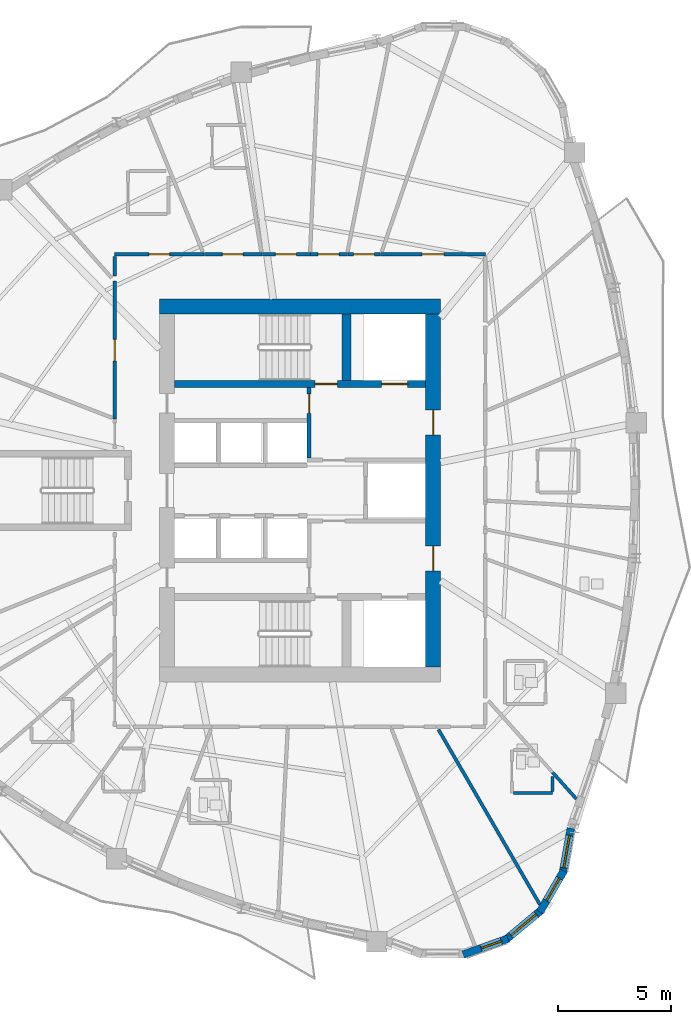
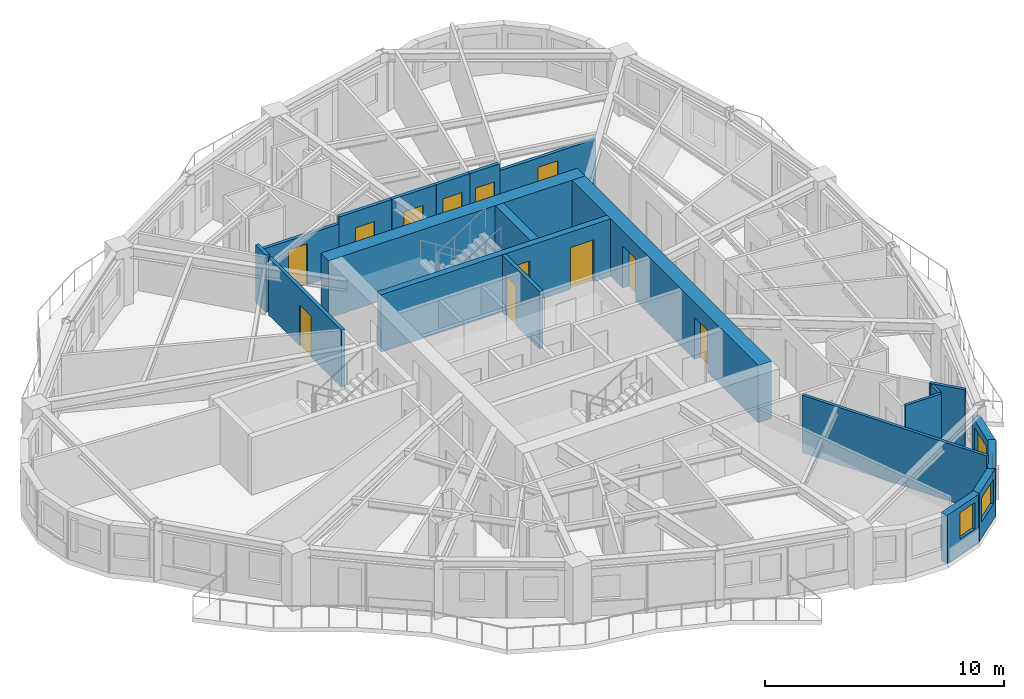
# One storey, part 6 of 13: 21 walls, 12 doors, 4 windows, 16 openings.
"""IFC4 building model written with IfcOpenShell, lengths in metres."""

from ifc_helpers import new_model, si_unit, direction, frame, frame_2d, origin, place, context, subcontext, project, spatial, rectangle, extrude, source, transform, mapped, material, layer, layer_set, type_object, element, fill, save


model = new_model("IFC4")

# Units and contexts
model_context = context("Model", 3, precision=1e-05, world=origin(), true_north=direction((0.0, 1.0)))
body_context = subcontext(model_context, "Body", "Model", "MODEL_VIEW")
ifc_project = project(units=[si_unit("LENGTHUNIT", "METRE"), si_unit("AREAUNIT", "SQUARE_METRE"), si_unit("VOLUMEUNIT", "CUBIC_METRE"), si_unit("PLANEANGLEUNIT", "RADIAN"), si_unit("MASSUNIT", "GRAM", prefix="KILO")], contexts=[model_context])

# Site, building, storey
site_placement = place(None, origin())
site = spatial("IfcSite", under=ifc_project, at=site_placement, CompositionType="ELEMENT")
building_placement = place(site_placement, origin())
building = spatial("IfcBuilding", under=site, at=building_placement, Name="Qafzar Sky-Pleat Residences", CompositionType="ELEMENT")
storey_placement = place(building_placement, frame((0.0, 0.0, 105.60009765625)))
storey = spatial("IfcBuildingStorey", under=building, at=storey_placement, Name="L31", CompositionType="ELEMENT", Elevation=105.60009765625)

# Wall, opening, door
ifc_material_1 = material(Name="Acoustic gypsum plasterboard partition", Category="gypsum")
ifc_layer_1 = layer(ifc_material_1, 0.159912109375)
ifc_layer_set_1 = layer_set([ifc_layer_1], Name="Acoustic gypsum plasterboard partition")
wall_type_1 = type_object("IfcWallType", Name="PART-COR-160", PredefinedType="PARTITIONING", material=ifc_layer_set_1)
wall_1_placement = place(storey_placement, frame((22.169921875, 29.14794921875, 0.0), z_axis=(0.0, 0.0, 1.0), x_axis=(0.0, 1.0, 0.0)))
wall_1 = element("IfcWall", 1, at=wall_1_placement, inside=storey, type_object=wall_type_1, Name="L31 Partition Wall PART-L31-PW-002", PredefinedType="PARTITIONING", context=body_context, shape_type="SweptSolid", body=[
    extrude(rectangle(XDim=6.10595703125, YDim=0.159912109375, at=frame_2d((3.052978515625, 0.0))), origin(), (0.0, 0.0, 1.0), 2.934814453125),
])
opening_1_placement = place(wall_1_placement, frame((2.569580078125, 0.0, 0.0)))
opening_1 = element("IfcOpeningElement", 2, at=opening_1_placement, cuts=wall_1, Name="Opening ID-06", PredefinedType="OPENING", context=body_context, shape_type="SweptSolid", body=[
    extrude(rectangle(XDim=0.9599609375, YDim=2.10009765625, at=frame_2d((0.47998046875, 1.050048828125))), frame((0.0, 0.08984375, 0.0), z_axis=(0.0, -1.0, 0.0), x_axis=(1.0, 0.0, 0.0)), (0.0, 0.0, 1.0), 0.179931640625),
])
ifc_material_2 = material(Name="Timber-faced fire door", Category="wood")
door_type_1 = type_object("IfcDoorType", Name="DR-STD-960", OperationType="NOTDEFINED", PredefinedType="DOOR", material=ifc_material_2)
shared_shape_1 = source(origin(), body_context, "Body", "SweptSolid", [
    extrude(rectangle(XDim=0.9599609375, YDim=2.10009765625, at=frame_2d((0.47998046875, 1.050048828125))), frame((0.0, 0.02490234375, 0.0), z_axis=(0.0, -1.0, 0.0), x_axis=(1.0, 0.0, 0.0)), (0.0, 0.0, 1.0), 0.050048828125),
])
door_1_placement = place(opening_1_placement, origin())
door_1 = element("IfcDoor", 3, at=door_1_placement, inside=storey, type_object=door_type_1, Name="L31 Media Screening Room Door", OperationType="SINGLE_SWING_LEFT", OverallHeight=2.10009765625, OverallWidth=0.9599609375, PredefinedType="DOOR", context=body_context, shape_type="MappedRepresentation", body=[
    mapped(shared_shape_1, transform((0.0, 0.0, 0.0), x_axis=(1.0, 0.0, 0.0), y_axis=(0.0, 1.0, 0.0), z_axis=(0.0, 0.0, 1.0), scale=1.0)),
])
fill(opening_1, door_1)

wall_2_placement = place(storey_placement, frame((33.906005859375, 36.429931640625, 0.0), z_axis=(0.0, 0.0, 1.0), x_axis=(1.0, 0.0, 0.0)))
wall_2 = element("IfcWall", 4, at=wall_2_placement, inside=storey, type_object=wall_type_1, Name="L31 Partition Wall PART-L31-PW-003", PredefinedType="PARTITIONING", context=body_context, shape_type="SweptSolid", body=[
    extrude(rectangle(XDim=4.6240234375, YDim=0.159912109375, at=frame_2d((2.31201171875, 0.0))), origin(), (0.0, 0.0, 1.0), 2.572998046875),
])
opening_2_placement = place(wall_2_placement, frame((1.840087890625, 0.0, 0.0)))
opening_2 = element("IfcOpeningElement", 5, at=opening_2_placement, cuts=wall_2, Name="Opening ID-06", PredefinedType="OPENING", context=body_context, shape_type="SweptSolid", body=[
    extrude(rectangle(XDim=0.9599609375, YDim=2.10009765625, at=frame_2d((0.47998046875, 1.050048828125))), frame((0.0, 0.08984375, 0.0), z_axis=(0.0, -1.0, 0.0), x_axis=(1.0, 0.0, 0.0)), (0.0, 0.0, 1.0), 0.179931640625),
])
door_2_placement = place(opening_2_placement, origin())
door_2 = element("IfcDoor", 6, at=door_2_placement, inside=storey, type_object=door_type_1, Name="L31 Wellness Yoga Studio Door", OperationType="SINGLE_SWING_RIGHT", OverallHeight=2.10009765625, OverallWidth=0.9599609375, PredefinedType="DOOR", context=body_context, shape_type="MappedRepresentation", body=[
    mapped(shared_shape_1, transform((0.0, 0.0, 0.0), x_axis=(1.0, 0.0, 0.0), y_axis=(0.0, 1.0, 0.0), z_axis=(0.0, 0.0, 1.0), scale=1.0)),
])
fill(opening_2, door_2)

wall_3_placement = place(storey_placement, frame((22.169921875, 36.429931640625, 0.0), z_axis=(0.0, 0.0, 1.0), x_axis=(1.0, 0.0, 0.0)))
wall_3 = element("IfcWall", 7, at=wall_3_placement, inside=storey, type_object=wall_type_1, Name="L31 Partition Wall PART-L31-PW-006", PredefinedType="PARTITIONING", context=body_context, shape_type="SweptSolid", body=[
    extrude(rectangle(XDim=3.947998046875, YDim=0.159912109375, at=frame_2d((1.97412109375, 0.0))), origin(), (0.0, 0.0, 1.0), 2.572998046875),
])
opening_3_placement = place(wall_3_placement, frame((1.506103515625, 0.0, 0.0)))
opening_3 = element("IfcOpeningElement", 8, at=opening_3_placement, cuts=wall_3, Name="Opening ID-04", PredefinedType="OPENING", context=body_context, shape_type="SweptSolid", body=[
    extrude(rectangle(XDim=0.919921875, YDim=2.10009765625, at=frame_2d((0.4599609375, 1.050048828125))), frame((0.0, 0.08984375, 0.0), z_axis=(0.0, -1.0, 0.0), x_axis=(1.0, 0.0, 0.0)), (0.0, 0.0, 1.0), 0.179931640625),
])
door_type_2 = type_object("IfcDoorType", Name="DR-BED-920", OperationType="NOTDEFINED", PredefinedType="DOOR", material=ifc_material_2)
shared_shape_2 = source(origin(), body_context, "Body", "SweptSolid", [
    extrude(rectangle(XDim=0.919921875, YDim=2.10009765625, at=frame_2d((0.4599609375, 1.050048828125))), frame((0.0, 0.02490234375, 0.0), z_axis=(0.0, -1.0, 0.0), x_axis=(1.0, 0.0, 0.0)), (0.0, 0.0, 1.0), 0.050048828125),
])
door_3_placement = place(opening_3_placement, origin())
door_3 = element("IfcDoor", 9, at=door_3_placement, inside=storey, type_object=door_type_2, Name="L31 Co-Living Bedroom 10 Door", OperationType="SINGLE_SWING_RIGHT", OverallHeight=2.10009765625, OverallWidth=0.919921875, PredefinedType="DOOR", context=body_context, shape_type="MappedRepresentation", body=[
    mapped(shared_shape_2, transform((0.0, 0.0, 0.0), x_axis=(1.0, 0.0, 0.0), y_axis=(0.0, 1.0, 0.0), z_axis=(0.0, 0.0, 1.0), scale=1.0)),
])
fill(opening_3, door_3)

wall_4_placement = place(storey_placement, frame((26.133056640625, 36.429931640625, 0.0), z_axis=(0.0, 0.0, 1.0), x_axis=(1.0, 0.0, 0.0)))
wall_4 = element("IfcWall", 10, at=wall_4_placement, inside=storey, type_object=wall_type_1, Name="L31 Partition Wall PART-L31-PW-011", PredefinedType="PARTITIONING", context=body_context, shape_type="SweptSolid", body=[
    extrude(rectangle(XDim=2.537841796875, YDim=0.159912109375, at=frame_2d((1.26904296875, 0.0))), origin(), (0.0, 0.0, 1.0), 2.934814453125),
])
opening_4_placement = place(wall_4_placement, frame((0.785888671875, 0.0, 0.0)))
opening_4 = element("IfcOpeningElement", 11, at=opening_4_placement, cuts=wall_4, Name="Opening ID-04", PredefinedType="OPENING", context=body_context, shape_type="SweptSolid", body=[
    extrude(rectangle(XDim=0.919921875, YDim=2.10009765625, at=frame_2d((0.4599609375, 1.050048828125))), frame((0.0, 0.08984375, 0.0), z_axis=(0.0, -1.0, 0.0), x_axis=(1.0, 0.0, 0.0)), (0.0, 0.0, 1.0), 0.179931640625),
])
door_4_placement = place(opening_4_placement, origin())
door_4 = element("IfcDoor", 12, at=door_4_placement, inside=storey, type_object=door_type_2, Name="L31 Co-Living Bedroom 8 Door", OperationType="SINGLE_SWING_RIGHT", OverallHeight=2.10009765625, OverallWidth=0.919921875, PredefinedType="DOOR", context=body_context, shape_type="MappedRepresentation", body=[
    mapped(shared_shape_2, transform((0.0, 0.0, 0.0), x_axis=(1.0, 0.0, 0.0), y_axis=(0.0, 1.0, 0.0), z_axis=(0.0, 0.0, 1.0), scale=1.0)),
])
fill(opening_4, door_4)

wall_5_placement = place(storey_placement, frame((28.68603515625, 36.429931640625, 0.0), z_axis=(0.0, 0.0, 1.0), x_axis=(1.0, 0.0, 0.0)))
wall_5 = element("IfcWall", 13, at=wall_5_placement, inside=storey, type_object=wall_type_1, Name="L31 Partition Wall PART-L31-PW-014", PredefinedType="PARTITIONING", context=body_context, shape_type="SweptSolid", body=[
    extrude(rectangle(XDim=2.123046875, YDim=0.159912109375, at=frame_2d((1.0615234375, 0.0))), origin(), (0.0, 0.0, 1.0), 2.934814453125),
])
opening_5_placement = place(wall_5_placement, frame((0.5791015625, 0.0, 0.0)))
opening_5 = element("IfcOpeningElement", 14, at=opening_5_placement, cuts=wall_5, Name="Opening ID-04", PredefinedType="OPENING", context=body_context, shape_type="SweptSolid", body=[
    extrude(rectangle(XDim=0.919921875, YDim=2.10009765625, at=frame_2d((0.4599609375, 1.050048828125))), frame((0.0, 0.08984375, 0.0), z_axis=(0.0, -1.0, 0.0), x_axis=(1.0, 0.0, 0.0)), (0.0, 0.0, 1.0), 0.179931640625),
])
door_5_placement = place(opening_5_placement, origin())
door_5 = element("IfcDoor", 15, at=door_5_placement, inside=storey, type_object=door_type_2, Name="L31 Co-Living Bedroom 9 Door", OperationType="SINGLE_SWING_LEFT", OverallHeight=2.10009765625, OverallWidth=0.919921875, PredefinedType="DOOR", context=body_context, shape_type="MappedRepresentation", body=[
    mapped(shared_shape_2, transform((0.0, 0.0, 0.0), x_axis=(1.0, 0.0, 0.0), y_axis=(0.0, 1.0, 0.0), z_axis=(0.0, 0.0, 1.0), scale=1.0)),
])
fill(opening_5, door_5)

wall_6_placement = place(storey_placement, frame((30.823974609375, 36.429931640625, 0.0), z_axis=(0.0, 0.0, 1.0), x_axis=(1.0, 0.0, 0.0)))
wall_6 = element("IfcWall", 16, at=wall_6_placement, inside=storey, type_object=wall_type_1, Name="L31 Partition Wall PART-L31-PW-024", PredefinedType="PARTITIONING", context=body_context, shape_type="SweptSolid", body=[
    extrude(rectangle(XDim=1.619140625, YDim=0.159912109375, at=frame_2d((0.8095703125, 0.0))), origin(), (0.0, 0.0, 1.0), 2.934814453125),
])
opening_6_placement = place(wall_6_placement, frame((0.326904296875, 0.0, 0.0)))
opening_6 = element("IfcOpeningElement", 17, at=opening_6_placement, cuts=wall_6, Name="Opening ID-04", PredefinedType="OPENING", context=body_context, shape_type="SweptSolid", body=[
    extrude(rectangle(XDim=0.919921875, YDim=2.10009765625, at=frame_2d((0.4599609375, 1.050048828125))), frame((0.0, 0.08984375, 0.0), z_axis=(0.0, -1.0, 0.0), x_axis=(1.0, 0.0, 0.0)), (0.0, 0.0, 1.0), 0.179931640625),
])
door_6_placement = place(opening_6_placement, origin())
door_6 = element("IfcDoor", 18, at=door_6_placement, inside=storey, type_object=door_type_2, Name="L31 Co-Living Bedroom 6 Door", OperationType="SINGLE_SWING_LEFT", OverallHeight=2.10009765625, OverallWidth=0.919921875, PredefinedType="DOOR", context=body_context, shape_type="MappedRepresentation", body=[
    mapped(shared_shape_2, transform((0.0, 0.0, 0.0), x_axis=(1.0, 0.0, 0.0), y_axis=(0.0, 1.0, 0.0), z_axis=(0.0, 0.0, 1.0), scale=1.0)),
])
fill(opening_6, door_6)

wall_7_placement = place(storey_placement, frame((32.4580078125, 36.429931640625, 0.0), z_axis=(0.0, 0.0, 1.0), x_axis=(1.0, 0.0, 0.0)))
wall_7 = element("IfcWall", 19, at=wall_7_placement, inside=storey, type_object=wall_type_1, Name="L31 Partition Wall PART-L31-PW-027", PredefinedType="PARTITIONING", context=body_context, shape_type="SweptSolid", body=[
    extrude(rectangle(XDim=1.43310546875, YDim=0.159912109375, at=frame_2d((0.716552734375, 0.0))), origin(), (0.0, 0.0, 1.0), 2.934814453125),
])
opening_7_placement = place(wall_7_placement, frame((0.257080078125, 0.0, 0.0)))
opening_7 = element("IfcOpeningElement", 20, at=opening_7_placement, cuts=wall_7, Name="Opening ID-04", PredefinedType="OPENING", context=body_context, shape_type="SweptSolid", body=[
    extrude(rectangle(XDim=0.919921875, YDim=2.10009765625, at=frame_2d((0.4599609375, 1.050048828125))), frame((0.0, 0.08984375, 0.0), z_axis=(0.0, -1.0, 0.0), x_axis=(1.0, 0.0, 0.0)), (0.0, 0.0, 1.0), 0.179931640625),
])
door_7_placement = place(opening_7_placement, origin())
door_7 = element("IfcDoor", 21, at=door_7_placement, inside=storey, type_object=door_type_2, Name="L31 Co-Living Bedroom 7 Door", OperationType="SINGLE_SWING_RIGHT", OverallHeight=2.10009765625, OverallWidth=0.919921875, PredefinedType="DOOR", context=body_context, shape_type="MappedRepresentation", body=[
    mapped(shared_shape_2, transform((0.0, 0.0, 0.0), x_axis=(1.0, 0.0, 0.0), y_axis=(0.0, 1.0, 0.0), z_axis=(0.0, 0.0, 1.0), scale=1.0)),
])
fill(opening_7, door_7)

# Wall
wall_8_placement = place(storey_placement, frame((22.169921875, 35.4765625, 0.0), z_axis=(0.0, 0.0, 1.0), x_axis=(0.0, 1.0, 0.0)))
element("IfcWall", 22, at=wall_8_placement, inside=storey, type_object=wall_type_1, Name="L31 Partition Wall PART-L31-PW-080", PredefinedType="PARTITIONING", context=body_context, shape_type="SweptSolid", body=[
    extrude(rectangle(XDim=0.865478515625, YDim=0.159912109375, at=frame_2d((0.4326171875, 0.0))), origin(), (0.0, 0.0, 1.0), 2.934814453125),
])

# Wall, opening, door
ifc_material_3 = material(Name="Concrete blockwork partition", Category="masonry")
ifc_layer_2 = layer(ifc_material_3, 0.179931640625)
ifc_layer_set_2 = layer_set([ifc_layer_2], Name="Concrete blockwork partition")
wall_type_2 = type_object("IfcWallType", Name="PART-SHAFT-180", PredefinedType="PARTITIONING", material=ifc_layer_set_2)
wall_9_placement = place(storey_placement, frame((30.75, 27.429931640625, 0.0), z_axis=(0.0, 0.0, 1.0), x_axis=(0.0, 1.0, 0.0)))
wall_9 = element("IfcWall", 23, at=wall_9_placement, inside=storey, type_object=wall_type_2, Name="L31 Partition Wall PART-L31-FFL2-W", PredefinedType="PARTITIONING", context=body_context, shape_type="SweptSolid", body=[
    extrude(rectangle(XDim=3.110107421875, YDim=0.179931640625, at=frame_2d((1.55517578125, 0.0))), origin(), (0.0, 0.0, 1.0), 2.934814453125),
])
opening_8_placement = place(wall_9_placement, frame((1.97998046875, 0.0, 0.0)))
opening_8 = element("IfcOpeningElement", 24, at=opening_8_placement, cuts=wall_9, Name="Opening ID-09", PredefinedType="OPENING", context=body_context, shape_type="SweptSolid", body=[
    extrude(rectangle(XDim=0.860107421875, YDim=2.050048828125, at=frame_2d((0.43017578125, 1.02490234375))), frame((0.0, 0.10009765625, 0.0), z_axis=(0.0, -1.0, 0.0), x_axis=(1.0, 0.0, 0.0)), (0.0, 0.0, 1.0), 0.199951171875),
])
door_type_3 = type_object("IfcDoorType", Name="DR-SVC-860", OperationType="NOTDEFINED", PredefinedType="DOOR", material=ifc_material_2)
shared_shape_3 = source(origin(), body_context, "Body", "SweptSolid", [
    extrude(rectangle(XDim=0.860107421875, YDim=2.050048828125, at=frame_2d((0.43017578125, 1.02490234375))), frame((0.0, 0.02490234375, 0.0), z_axis=(0.0, -1.0, 0.0), x_axis=(1.0, 0.0, 0.0)), (0.0, 0.0, 1.0), 0.050048828125),
])
door_8_placement = place(opening_8_placement, origin())
door_8 = element("IfcDoor", 25, at=door_8_placement, inside=storey, type_object=door_type_3, Name="L31 North Core Cupboard Door", OperationType="SINGLE_SWING_RIGHT", OverallHeight=2.050048828125, OverallWidth=0.860107421875, PredefinedType="DOOR", context=body_context, shape_type="MappedRepresentation", body=[
    mapped(shared_shape_3, transform((0.0, 0.0, 0.0), x_axis=(1.0, 0.0, 0.0), y_axis=(0.0, 1.0, 0.0), z_axis=(0.0, 0.0, 1.0), scale=1.0)),
])
fill(opening_8, door_8)

# Walls
ifc_layer_3 = layer(ifc_material_1, 0.14501953125)
ifc_layer_set_3 = layer_set([ifc_layer_3], Name="Acoustic gypsum plasterboard partition")
wall_type_3 = type_object("IfcWallType", Name="PART-UNIT-145", PredefinedType="PARTITIONING", material=ifc_layer_set_3)
wall_10_placement = place(storey_placement, frame((36.46337890625, 15.44677734375, 0.0), z_axis=(0.0, 0.0, 1.0), x_axis=(0.501201369888, -0.86533068062, 0.0)))
element("IfcWall", 26, at=wall_10_placement, inside=storey, type_object=wall_type_3, Name="L31 Partition Wall PART-L31-PW-037", PredefinedType="PARTITIONING", context=body_context, shape_type="SweptSolid", body=[
    extrude(rectangle(XDim=8.91796875, YDim=0.14501953125, at=frame_2d((4.458984375, 0.0))), origin(), (0.0, 0.0, 1.0), 2.934814453125),
])
wall_11_placement = place(storey_placement, frame((41.50390625, 13.551025390625, 0.0), z_axis=(0.0, 0.0, 1.0), x_axis=(0.667530166935, -0.744582753112, 0.0)))
element("IfcWall", 27, at=wall_11_placement, inside=storey, type_object=wall_type_3, Name="L31 Partition Wall PART-L31-PW-072", PredefinedType="PARTITIONING", context=body_context, shape_type="SweptSolid", body=[
    extrude(rectangle(XDim=1.571533203125, YDim=0.14501953125, at=frame_2d((0.78564453125, 0.0))), origin(), (0.0, 0.0, 1.0), 2.934814453125),
])
ifc_material_4 = material(Name="Moisture-resistant gypsum partition", Category="gypsum")
ifc_layer_4 = layer(ifc_material_4, 0.1298828125)
ifc_layer_set_4 = layer_set([ifc_layer_4], Name="Moisture-resistant gypsum partition")
wall_type_4 = type_object("IfcWallType", Name="PART-WET-130", PredefinedType="PARTITIONING", material=ifc_layer_set_4)
wall_12_placement = place(storey_placement, frame((39.777099609375, 12.64599609375, 0.0), z_axis=(0.0, 0.0, 1.0), x_axis=(1.0, 0.0, 0.0)))
element("IfcWall", 28, at=wall_12_placement, inside=storey, type_object=wall_type_4, Name="L31 Partition Wall PART-L31-PW-068", PredefinedType="PARTITIONING", context=body_context, shape_type="SweptSolid", body=[
    extrude(rectangle(XDim=1.726806640625, YDim=0.1298828125, at=frame_2d((0.86328125, 0.0))), origin(), (0.0, 0.0, 1.0), 2.934814453125),
])
wall_13_placement = place(storey_placement, frame((41.50390625, 12.718994140625, 0.0), z_axis=(0.0, 0.0, 1.0), x_axis=(0.0, 1.0, 0.0)))
element("IfcWall", 29, at=wall_13_placement, inside=storey, type_object=wall_type_4, Name="L31 Partition Wall PART-L31-PW-084", PredefinedType="PARTITIONING", context=body_context, shape_type="SweptSolid", body=[
    extrude(rectangle(XDim=0.642822265625, YDim=0.1298828125, at=frame_2d((0.3212890625, 0.0))), origin(), (0.0, 0.0, 1.0), 2.934814453125),
])

# Wall, opening, window
ifc_material_5 = material(Name="Precast concrete C40/50 with honed Riyadh limestone", Category="concrete")
ifc_layer_5 = layer(ifc_material_5, 0.340087890625)
ifc_layer_set_5 = layer_set([ifc_layer_5], Name="Precast concrete C40/50 with honed Riyadh limestone")
wall_type_5 = type_object("IfcWallType", Name="WALL-EXT-340", PredefinedType="SOLIDWALL", material=ifc_layer_set_5)
wall_14_placement = place(storey_placement, frame((37.556884765625, 5.506103515625, 0.0), z_axis=(0.0, 0.0, 1.0), x_axis=(0.941523304278, 0.336947870598, 0.0)))
wall_14 = element("IfcWall", 30, at=wall_14_placement, inside=storey, type_object=wall_type_5, Name="L31 Limestone Facade Wall 19", PredefinedType="SOLIDWALL", context=body_context, shape_type="SweptSolid", body=[
    extrude(rectangle(XDim=2.09912109375, YDim=0.340087890625, at=frame_2d((1.049560546875, 0.0))), origin(), (0.0, 0.0, 1.0), 2.46484375),
])
opening_9_placement = place(wall_14_placement, frame((0.835205078125, 0.0, 0.820068359375)))
opening_9 = element("IfcOpeningElement", 31, at=opening_9_placement, cuts=wall_14, Name="Opening WN-12", PredefinedType="OPENING", context=body_context, shape_type="SweptSolid", body=[
    extrude(rectangle(XDim=0.949951171875, YDim=1.35009765625, at=frame_2d((0.47509765625, 0.675048828125))), frame((0.0, 0.18017578125, 0.0), z_axis=(0.0, -1.0, 0.0), x_axis=(1.0, 0.0, 0.0)), (0.0, 0.0, 1.0), 0.360107421875),
])
ifc_material_6 = material(Name="Solar-control low-E glass in bronze aluminium frame", Category="glass")
window_type_1 = type_object("IfcWindowType", Name="WIN-12", PartitioningType="SINGLE_PANEL", PredefinedType="WINDOW", material=ifc_material_6)
shared_shape_4 = source(origin(), body_context, "Body", "SweptSolid", [
    extrude(rectangle(XDim=0.949951171875, YDim=1.35009765625, at=frame_2d((0.47509765625, 0.675048828125))), frame((0.0, 0.030029296875, 0.0), z_axis=(0.0, -1.0, 0.0), x_axis=(1.0, 0.0, 0.0)), (0.0, 0.0, 1.0), 0.06005859375),
])
window_1_placement = place(opening_9_placement, origin())
window_1 = element("IfcWindow", 32, at=window_1_placement, inside=storey, type_object=window_type_1, Name="L31 Punched Facade Window 19-2", OverallHeight=1.35009765625, OverallWidth=0.949951171875, PartitioningType="SINGLE_PANEL", PredefinedType="WINDOW", context=body_context, shape_type="MappedRepresentation", body=[
    mapped(shared_shape_4, transform((0.0, 0.0, 0.0), x_axis=(1.0, 0.0, 0.0), y_axis=(0.0, 1.0, 0.0), z_axis=(0.0, 0.0, 1.0), scale=1.0)),
])
fill(opening_9, window_1)

wall_15_placement = place(storey_placement, frame((39.41650390625, 6.14697265625, 0.0), z_axis=(0.0, 0.0, 1.0), x_axis=(0.768497696041, 0.639852554249, 0.0)))
wall_15 = element("IfcWall", 33, at=wall_15_placement, inside=storey, type_object=wall_type_5, Name="L31 Limestone Facade Wall 20", PredefinedType="SOLIDWALL", context=body_context, shape_type="SweptSolid", body=[
    extrude(rectangle(XDim=2.098876953125, YDim=0.340087890625, at=frame_2d((1.04931640625, 0.0))), origin(), (0.0, 0.0, 1.0), 2.46484375),
])
opening_10_placement = place(wall_15_placement, frame((0.324462890625, 0.0, 0.820068359375)))
opening_10 = element("IfcOpeningElement", 34, at=opening_10_placement, cuts=wall_15, Name="Opening WN-15", PredefinedType="OPENING", context=body_context, shape_type="SweptSolid", body=[
    extrude(rectangle(XDim=1.449951171875, YDim=1.25, at=frame_2d((0.72509765625, 0.625))), frame((0.0, 0.18017578125, 0.0), z_axis=(0.0, -1.0, 0.0), x_axis=(1.0, 0.0, 0.0)), (0.0, 0.0, 1.0), 0.360107421875),
])
window_type_2 = type_object("IfcWindowType", Name="WIN-15", PartitioningType="SINGLE_PANEL", PredefinedType="WINDOW", material=ifc_material_6)
shared_shape_5 = source(origin(), body_context, "Body", "SweptSolid", [
    extrude(rectangle(XDim=1.449951171875, YDim=1.25, at=frame_2d((0.72509765625, 0.625))), frame((0.0, 0.030029296875, 0.0), z_axis=(0.0, -1.0, 0.0), x_axis=(1.0, 0.0, 0.0)), (0.0, 0.0, 1.0), 0.06005859375),
])
window_2_placement = place(opening_10_placement, origin())
window_2 = element("IfcWindow", 35, at=window_2_placement, inside=storey, type_object=window_type_2, Name="L31 Punched Facade Window 20", OverallHeight=1.25, OverallWidth=1.449951171875, PartitioningType="SINGLE_PANEL", PredefinedType="WINDOW", context=body_context, shape_type="MappedRepresentation", body=[
    mapped(shared_shape_5, transform((0.0, 0.0, 0.0), x_axis=(1.0, 0.0, 0.0), y_axis=(0.0, 1.0, 0.0), z_axis=(0.0, 0.0, 1.0), scale=1.0)),
])
fill(opening_10, window_2)

wall_16_placement = place(storey_placement, frame((40.943115234375, 7.387451171875, 0.0), z_axis=(0.0, 0.0, 1.0), x_axis=(0.501902596059, 0.864924149315, 0.0)))
wall_16 = element("IfcWall", 36, at=wall_16_placement, inside=storey, type_object=wall_type_5, Name="L31 Limestone Facade Wall 21", PredefinedType="SOLIDWALL", context=body_context, shape_type="SweptSolid", body=[
    extrude(rectangle(XDim=2.098876953125, YDim=0.340087890625, at=frame_2d((1.04931640625, 0.0))), origin(), (0.0, 0.0, 1.0), 2.46484375),
])
opening_11_placement = place(wall_16_placement, frame((0.573974609375, 0.0, 0.820068359375)))
opening_11 = element("IfcOpeningElement", 37, at=opening_11_placement, cuts=wall_16, Name="Opening WN-16", PredefinedType="OPENING", context=body_context, shape_type="SweptSolid", body=[
    extrude(rectangle(XDim=1.14990234375, YDim=1.199951171875, at=frame_2d((0.574951171875, 0.60009765625))), frame((0.0, 0.18017578125, 0.0), z_axis=(0.0, -1.0, 0.0), x_axis=(1.0, 0.0, 0.0)), (0.0, 0.0, 1.0), 0.360107421875),
])
window_type_3 = type_object("IfcWindowType", Name="WIN-16", PartitioningType="SINGLE_PANEL", PredefinedType="WINDOW", material=ifc_material_6)
shared_shape_6 = source(origin(), body_context, "Body", "SweptSolid", [
    extrude(rectangle(XDim=1.14990234375, YDim=1.199951171875, at=frame_2d((0.574951171875, 0.60009765625))), frame((0.0, 0.030029296875, 0.0), z_axis=(0.0, -1.0, 0.0), x_axis=(1.0, 0.0, 0.0)), (0.0, 0.0, 1.0), 0.06005859375),
])
window_3_placement = place(opening_11_placement, origin())
window_3 = element("IfcWindow", 38, at=window_3_placement, inside=storey, type_object=window_type_3, Name="L31 Punched Facade Window 21", OverallHeight=1.199951171875, OverallWidth=1.14990234375, PartitioningType="SINGLE_PANEL", PredefinedType="WINDOW", context=body_context, shape_type="MappedRepresentation", body=[
    mapped(shared_shape_6, transform((0.0, 0.0, 0.0), x_axis=(1.0, 0.0, 0.0), y_axis=(0.0, 1.0, 0.0), z_axis=(0.0, 0.0, 1.0), scale=1.0)),
])
fill(opening_11, window_3)

wall_17_placement = place(storey_placement, frame((41.95068359375, 9.076904296875, 0.0), z_axis=(0.0, 0.0, 1.0), x_axis=(0.174399433509, 0.984674990843, 0.0)))
wall_17 = element("IfcWall", 39, at=wall_17_placement, inside=storey, type_object=wall_type_5, Name="L31 Limestone Facade Wall 22", PredefinedType="SOLIDWALL", context=body_context, shape_type="SweptSolid", body=[
    extrude(rectangle(XDim=2.041015625, YDim=0.340087890625, at=frame_2d((1.0205078125, 0.0))), origin(), (0.0, 0.0, 1.0), 2.46484375),
])
opening_12_placement = place(wall_17_placement, frame((0.265380859375, 0.0, 0.820068359375)))
opening_12 = element("IfcOpeningElement", 40, at=opening_12_placement, cuts=wall_17, Name="Opening WN-15", PredefinedType="OPENING", context=body_context, shape_type="SweptSolid", body=[
    extrude(rectangle(XDim=1.449951171875, YDim=1.25, at=frame_2d((0.72509765625, 0.625))), frame((0.0, 0.18017578125, 0.0), z_axis=(0.0, -1.0, 0.0), x_axis=(1.0, 0.0, 0.0)), (0.0, 0.0, 1.0), 0.360107421875),
])
window_4_placement = place(opening_12_placement, origin())
window_4 = element("IfcWindow", 41, at=window_4_placement, inside=storey, type_object=window_type_2, Name="L31 Punched Facade Window 22", OverallHeight=1.25, OverallWidth=1.449951171875, PartitioningType="SINGLE_PANEL", PredefinedType="WINDOW", context=body_context, shape_type="MappedRepresentation", body=[
    mapped(shared_shape_5, transform((0.0, 0.0, 0.0), x_axis=(1.0, 0.0, 0.0), y_axis=(0.0, 1.0, 0.0), z_axis=(0.0, 0.0, 1.0), scale=1.0)),
])
fill(opening_12, window_4)

# Wall, openings, doors
ifc_material_7 = material(Name="Concrete C60/75", Category="concrete")
ifc_layer_6 = layer(ifc_material_7, 0.300048828125)
ifc_layer_set_6 = layer_set([ifc_layer_6], Name="Concrete C60/75")
wall_type_6 = type_object("IfcWallType", Name="WALL-SHEAR-300", PredefinedType="SHEAR", material=ifc_layer_set_6)
wall_18_placement = place(storey_placement, frame((24.800048828125, 30.699951171875, 0.0), z_axis=(0.0, 0.0, 1.0), x_axis=(1.0, 0.0, 0.0)))
wall_18 = element("IfcWall", 42, at=wall_18_placement, inside=storey, type_object=wall_type_6, Name="L31 Stair ST2 and FF2 Shaft South Wall", PredefinedType="SHEAR", context=body_context, shape_type="SweptSolid", body=[
    extrude(rectangle(XDim=11.099853515625, YDim=0.300048828125, at=frame_2d((5.5498046875, 0.0))), origin(), (0.0, 0.0, 1.0), 2.934814453125),
])
opening_13_placement = place(wall_18_placement, frame((6.219970703125, 0.0, 0.0)))
opening_13 = element("IfcOpeningElement", 43, at=opening_13_placement, cuts=wall_18, Name="Opening ID-01", PredefinedType="OPENING", context=body_context, shape_type="SweptSolid", body=[
    extrude(rectangle(XDim=0.97998046875, YDim=2.14990234375, at=frame_2d((0.489990234375, 1.074951171875))), frame((0.0, 0.16015625, 0.0), z_axis=(0.0, -1.0, 0.0), x_axis=(1.0, 0.0, 0.0)), (0.0, 0.0, 1.0), 0.320068359375),
])
opening_14_placement = place(wall_18_placement, frame((9.14990234375, 0.0, 0.0)))
opening_14 = element("IfcOpeningElement", 44, at=opening_14_placement, cuts=wall_18, Name="Opening LD-02", PredefinedType="OPENING", context=body_context, shape_type="SweptSolid", body=[
    extrude(rectangle(XDim=1.14990234375, YDim=2.14990234375, at=frame_2d((0.574951171875, 1.074951171875))), frame((0.0, 0.16015625, 0.0), z_axis=(0.0, -1.0, 0.0), x_axis=(1.0, 0.0, 0.0)), (0.0, 0.0, 1.0), 0.320068359375),
])
door_type_4 = type_object("IfcDoorType", Name="DR-STAIR-980", OperationType="NOTDEFINED", PredefinedType="DOOR", material=ifc_material_2)
shared_shape_7 = source(origin(), body_context, "Body", "SweptSolid", [
    extrude(rectangle(XDim=0.97998046875, YDim=2.14990234375, at=frame_2d((0.489990234375, 1.074951171875))), frame((0.0, 0.02490234375, 0.0), z_axis=(0.0, -1.0, 0.0), x_axis=(1.0, 0.0, 0.0)), (0.0, 0.0, 1.0), 0.050048828125),
])
door_9_placement = place(opening_13_placement, origin())
door_9 = element("IfcDoor", 45, at=door_9_placement, inside=storey, type_object=door_type_4, Name="L31 Stair ST2 Fire Door", OperationType="SINGLE_SWING_RIGHT", OverallHeight=2.14990234375, OverallWidth=0.97998046875, PredefinedType="DOOR", context=body_context, shape_type="MappedRepresentation", body=[
    mapped(shared_shape_7, transform((0.0, 0.0, 0.0), x_axis=(1.0, 0.0, 0.0), y_axis=(0.0, 1.0, 0.0), z_axis=(0.0, 0.0, 1.0), scale=1.0)),
])
fill(opening_13, door_9)
ifc_material_8 = material(Name="Stainless steel sliding landing door", Category="steel")
door_type_5 = type_object("IfcDoorType", Name="DR-LIFT-FF", OperationType="DOUBLE_DOOR_SLIDING", PredefinedType="DOOR", material=ifc_material_8)
shared_shape_8 = source(origin(), body_context, "Body", "SweptSolid", [
    extrude(rectangle(XDim=1.14990234375, YDim=2.14990234375, at=frame_2d((0.574951171875, 1.074951171875))), frame((0.0, 0.02490234375, 0.0), z_axis=(0.0, -1.0, 0.0), x_axis=(1.0, 0.0, 0.0)), (0.0, 0.0, 1.0), 0.050048828125),
])
door_10_placement = place(opening_14_placement, origin())
door_10 = element("IfcDoor", 46, at=door_10_placement, inside=storey, type_object=door_type_5, Name="L31 Firefighting Lift FF2 Landing Door", OperationType="DOUBLE_DOOR_SLIDING", OverallHeight=2.14990234375, OverallWidth=1.14990234375, PredefinedType="DOOR", context=body_context, shape_type="MappedRepresentation", body=[
    mapped(shared_shape_8, transform((0.0, 0.0, 0.0), x_axis=(1.0, 0.0, 0.0), y_axis=(0.0, 1.0, 0.0), z_axis=(0.0, 0.0, 1.0), scale=1.0)),
])
fill(opening_14, door_10)

# Walls
ifc_layer_7 = layer(ifc_material_7, 0.39990234375)
ifc_layer_set_7 = layer_set([ifc_layer_7], Name="Concrete C60/75")
wall_type_7 = type_object("IfcWallType", Name="WALL-SHEAR-400", PredefinedType="SHEAR", material=ifc_layer_set_7)
wall_19_placement = place(storey_placement, frame((32.39990234375, 30.85009765625, 0.0), z_axis=(0.0, 0.0, 1.0), x_axis=(0.0, 1.0, 0.0)))
element("IfcWall", 47, at=wall_19_placement, inside=storey, type_object=wall_type_7, Name="L31 Stair ST2 East Dividing Wall", PredefinedType="SHEAR", context=body_context, shape_type="SweptSolid", body=[
    extrude(rectangle(XDim=2.949951171875, YDim=0.39990234375, at=frame_2d((1.47509765625, 0.0))), origin(), (0.0, 0.0, 1.0), 2.934814453125),
])
ifc_layer_8 = layer(ifc_material_7, 0.64990234375)
ifc_layer_set_8 = layer_set([ifc_layer_8], Name="Concrete C60/75")
wall_type_8 = type_object("IfcWallType", Name="WALL-SHEAR-650", PredefinedType="SHEAR", material=ifc_layer_set_8)
wall_20_placement = place(storey_placement, frame((36.550048828125, 34.125, 0.0), z_axis=(0.0, 0.0, 1.0), x_axis=(-1.0, 0.0, 0.0)))
element("IfcWall", 48, at=wall_20_placement, inside=storey, type_object=wall_type_8, Name="L31 CORE wall N", PredefinedType="SHEAR", context=body_context, shape_type="SweptSolid", body=[
    extrude(rectangle(XDim=12.400146484375, YDim=0.64990234375, at=frame_2d((6.2001953125, 0.0))), origin(), (0.0, 0.0, 1.0), 2.934814453125),
])

# Wall, openings, doors
wall_21_placement = place(storey_placement, frame((36.22509765625, 18.199951171875, 0.0), z_axis=(0.0, 0.0, 1.0), x_axis=(0.0, 1.0, 0.0)))
wall_21 = element("IfcWall", 49, at=wall_21_placement, inside=storey, type_object=wall_type_8, Name="L31 CORE wall E", PredefinedType="SHEAR", context=body_context, shape_type="SweptSolid", body=[
    extrude(rectangle(XDim=15.60009765625, YDim=0.64990234375, at=frame_2d((7.800048828125, 0.0))), origin(), (0.0, 0.0, 1.0), 2.934814453125),
])
opening_15_placement = place(wall_21_placement, frame((4.25, 0.0, 0.0)))
opening_15 = element("IfcOpeningElement", 50, at=opening_15_placement, cuts=wall_21, Name="Opening ID-02", PredefinedType="OPENING", context=body_context, shape_type="SweptSolid", body=[
    extrude(rectangle(XDim=1.10009765625, YDim=2.14990234375, at=frame_2d((0.550048828125, 1.074951171875))), frame((0.0, 0.3349609375, 0.0), z_axis=(0.0, -1.0, 0.0), x_axis=(1.0, 0.0, 0.0)), (0.0, 0.0, 1.0), 0.669921875),
])
opening_16_placement = place(wall_21_placement, frame((10.25, 0.0, 0.0)))
opening_16 = element("IfcOpeningElement", 51, at=opening_16_placement, cuts=wall_21, Name="Opening ID-02", PredefinedType="OPENING", context=body_context, shape_type="SweptSolid", body=[
    extrude(rectangle(XDim=1.10009765625, YDim=2.14990234375, at=frame_2d((0.550048828125, 1.074951171875))), frame((0.0, 0.3349609375, 0.0), z_axis=(0.0, -1.0, 0.0), x_axis=(1.0, 0.0, 0.0)), (0.0, 0.0, 1.0), 0.669921875),
])
door_type_6 = type_object("IfcDoorType", Name="DR-FFL-1100", OperationType="NOTDEFINED", PredefinedType="DOOR", material=ifc_material_2)
shared_shape_9 = source(origin(), body_context, "Body", "SweptSolid", [
    extrude(rectangle(XDim=1.10009765625, YDim=2.14990234375, at=frame_2d((0.550048828125, 1.074951171875))), frame((0.0, 0.02490234375, 0.0), z_axis=(0.0, -1.0, 0.0), x_axis=(1.0, 0.0, 0.0)), (0.0, 0.0, 1.0), 0.050048828125),
])
door_11_placement = place(opening_15_placement, origin())
door_11 = element("IfcDoor", 52, at=door_11_placement, inside=storey, type_object=door_type_6, Name="L31 Firefighting Lobby South Corridor Door", OperationType="SINGLE_SWING_RIGHT", OverallHeight=2.14990234375, OverallWidth=1.10009765625, PredefinedType="DOOR", context=body_context, shape_type="MappedRepresentation", body=[
    mapped(shared_shape_9, transform((0.0, 0.0, 0.0), x_axis=(1.0, 0.0, 0.0), y_axis=(0.0, 1.0, 0.0), z_axis=(0.0, 0.0, 1.0), scale=1.0)),
])
fill(opening_15, door_11)
door_12_placement = place(opening_16_placement, origin())
door_12 = element("IfcDoor", 53, at=door_12_placement, inside=storey, type_object=door_type_6, Name="L31 Firefighting Lobby North Corridor Door", OperationType="SINGLE_SWING_LEFT", OverallHeight=2.14990234375, OverallWidth=1.10009765625, PredefinedType="DOOR", context=body_context, shape_type="MappedRepresentation", body=[
    mapped(shared_shape_9, transform((0.0, 0.0, 0.0), x_axis=(1.0, 0.0, 0.0), y_axis=(0.0, 1.0, 0.0), z_axis=(0.0, 0.0, 1.0), scale=1.0)),
])
fill(opening_16, door_12)

save(model, "model.ifc")
